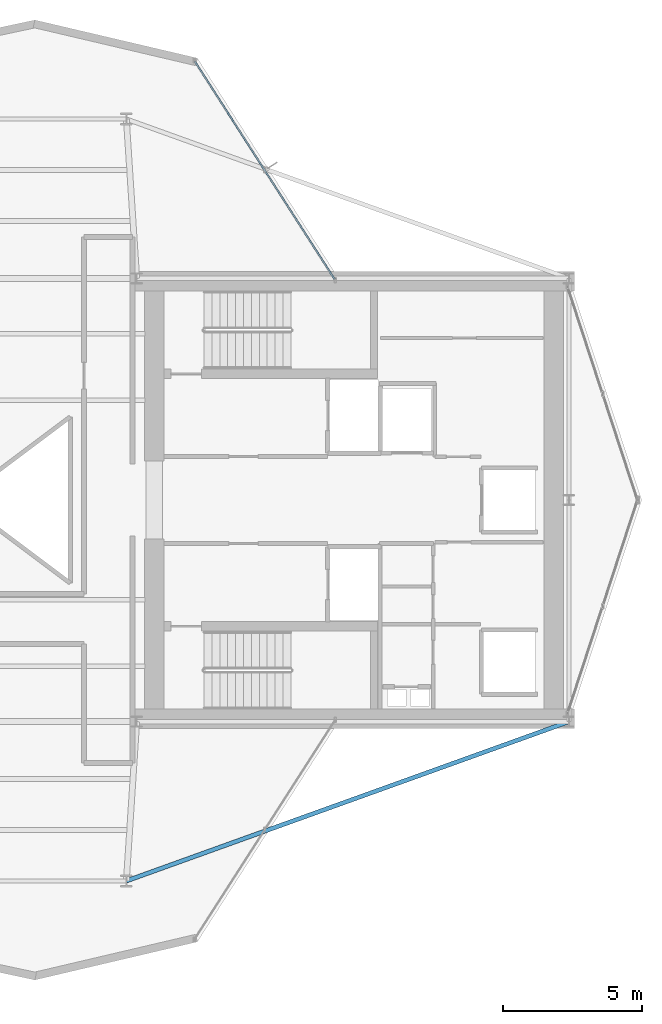
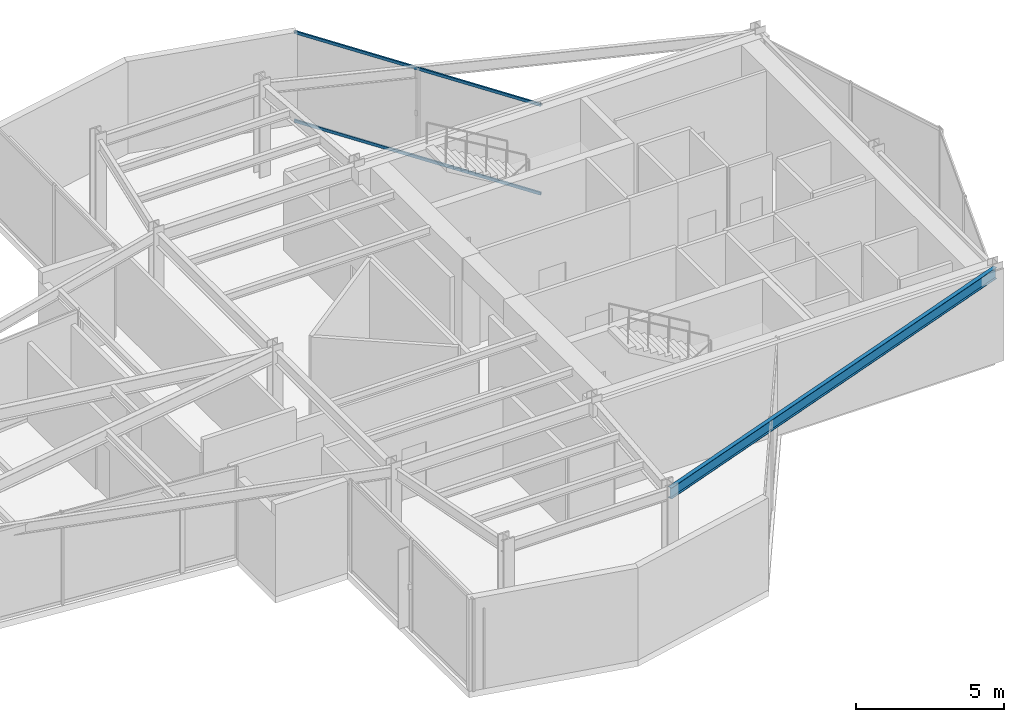
# One storey, part 13 of 23: 2 members, 1 beam, 1 element without a shape of its own.
"""IFC4 building model written with IfcOpenShell, lengths in metres."""

from ifc_helpers import new_model, si_unit, direction, frame, origin, origin_2d, place, context, subcontext, project, spatial, hollow_rectangle, i_section, extrude, material, layer, layer_set, material_profile, profile_set, type_object, element, aggregate, save


model = new_model("IFC4")

# Units and contexts
model_context = context("Model", 3, precision=1e-05, world=origin(), true_north=direction((0.0, 1.0)))
body_context = subcontext(model_context, "Body", "Model", "MODEL_VIEW")
ifc_project = project(units=[si_unit("LENGTHUNIT", "METRE"), si_unit("AREAUNIT", "SQUARE_METRE"), si_unit("VOLUMEUNIT", "CUBIC_METRE"), si_unit("PLANEANGLEUNIT", "RADIAN"), si_unit("MASSUNIT", "GRAM", prefix="KILO")], contexts=[model_context])

# Site, building, storey
site_placement = place(None, origin())
site = spatial("IfcSite", under=ifc_project, at=site_placement, CompositionType="ELEMENT")
building_placement = place(site_placement, origin())
building = spatial("IfcBuilding", under=site, at=building_placement, Name="Veymaron Broadcast Tower", CompositionType="ELEMENT")
storey_placement = place(building_placement, frame((0.0, 0.0, 191.85009765625)))
storey = spatial("IfcBuildingStorey", under=building, at=storey_placement, Name="L44", CompositionType="ELEMENT", Elevation=191.85009765625)

# Beam
ifc_material_1 = material(Name="Structural steel ASTM A992 Gr 50", Category="steel")
ifc_material_profile_1 = material_profile(ifc_material_1, i_section(OverallWidth=0.154052734375, OverallDepth=0.458984375, WebThickness=0.009033203125, FlangeThickness=0.015380859375, at=origin_2d()), Name="W460X68")
ifc_profile_set_1 = profile_set([ifc_material_profile_1], Name="Structural steel ASTM A992 Gr 50")
beam_type = type_object("IfcBeamType", Name="BM-SP2", PredefinedType="SPANDREL", material=ifc_profile_set_1)
beam_placement = place(storey_placement, frame((54.60009765625, 16.0, 3.560302734375), z_axis=(-0.940906840948, -0.33866549375, 0.0), x_axis=(0.33866549375, -0.940906840948, 0.0)))
element("IfcBeam", 1, at=beam_placement, inside=storey, type_object=beam_type, Name="L44 primary structural floor girder", PredefinedType="SPANDREL", context=body_context, shape_type="SweptSolid", body=[
    extrude(i_section(OverallWidth=0.154052734375, OverallDepth=0.458984375, WebThickness=0.009033203125, FlangeThickness=0.015380859375, at=origin_2d()), origin(), (0.0, 0.0, 1.0), 16.978515625),
])

# Curtain wall, members
ifc_material_2 = material(Name="Anodised aluminium AA 6063-T6 and laminated low-E dark glass", Category="aluminium")
ifc_layer = layer(ifc_material_2, 0.179931640625)
ifc_layer_set = layer_set([ifc_layer], Name="Anodised aluminium AA 6063-T6 and laminated low-E dark glass")
curtain_wall_type = type_object("IfcCurtainWallType", Name="CW-SYS-05", PredefinedType="NOTDEFINED", material=ifc_layer_set)
curtain_wall_placement = place(storey_placement, origin())
curtain_wall = element("IfcCurtainWall", 2, at=curtain_wall_placement, inside=storey, type_object=curtain_wall_type, Name="L44 dark-glass curtain wall CW-L44-E5-1", PredefinedType="NOTDEFINED")
ifc_material_3 = material(Name="Anodised aluminium AA 6063-T6", Category="aluminium")
ifc_material_profile_2 = material_profile(ifc_material_3, hollow_rectangle(XDim=0.06005859375, YDim=0.1201171875, WallThickness=0.00390625, at=origin_2d()), Name="AL120X60X4")
ifc_profile_set_2 = profile_set([ifc_material_profile_2], Name="Anodised aluminium AA 6063-T6")
member_type = type_object("IfcMemberType", Name="CW-TRN-02", PredefinedType="USERDEFINED", material=ifc_profile_set_2)
member_1_placement = place(storey_placement, frame((46.14208984375, 31.966552734375, 0.06982421875), z_axis=(-0.539970408513, 0.841684001232, 0.0), x_axis=(-0.841684001232, -0.539970408513, 0.0)))
member_1 = element("IfcMember", 3, at=member_1_placement, type_object=member_type, Name="CW-L44-E5-1 transom B", ObjectType="TRANSOM", PredefinedType="USERDEFINED", context=body_context, shape_type="SweptSolid", body=[
    extrude(hollow_rectangle(XDim=0.06005859375, YDim=0.1201171875, WallThickness=0.00390625, at=origin_2d()), origin(), (0.0, 0.0, 1.0), 9.34521484375),
])
member_2_placement = place(storey_placement, frame((46.14208984375, 31.966552734375, 3.719970703125), z_axis=(-0.539970408513, 0.841684001232, 0.0), x_axis=(-0.841684001232, -0.539970408513, 0.0)))
member_2 = element("IfcMember", 4, at=member_2_placement, type_object=member_type, Name="CW-L44-E5-1 transom T", ObjectType="TRANSOM", PredefinedType="USERDEFINED", context=body_context, shape_type="SweptSolid", body=[
    extrude(hollow_rectangle(XDim=0.06005859375, YDim=0.1201171875, WallThickness=0.00390625, at=origin_2d()), origin(), (0.0, 0.0, 1.0), 9.34521484375),
])
aggregate(curtain_wall, [member_1, member_2])

save(model, "model.ifc")
